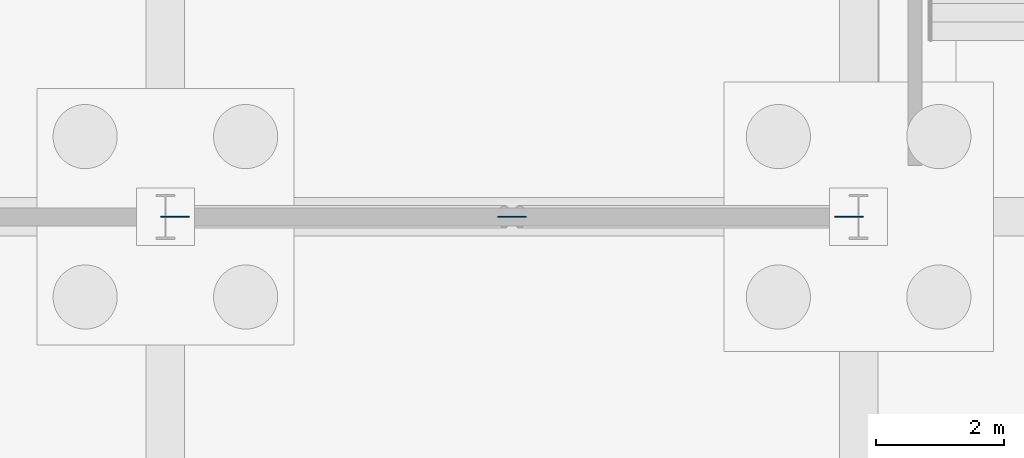
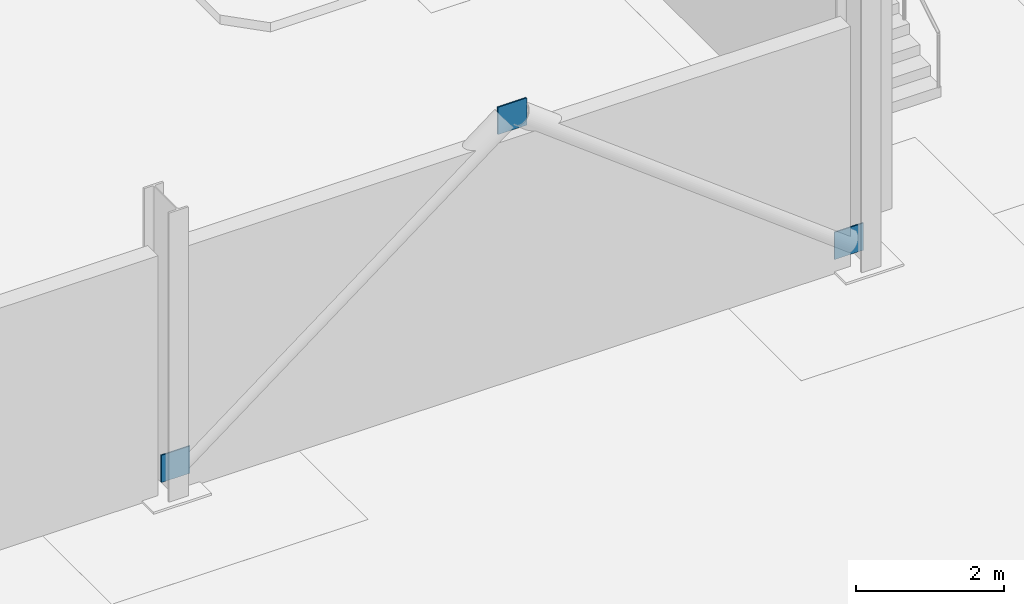
# One storey, part 47 of 73: 3 plates.
"""IFC4 building model written with IfcOpenShell, lengths in metres."""

from ifc_helpers import new_model, si_unit, direction, frame, origin, origin_2d, place, context, subcontext, project, spatial, rectangle, extrude, material, layer, layer_set, type_object, element, save


model = new_model("IFC4")

# Units and contexts
model_context = context("Model", 3, precision=1e-05, world=origin(), true_north=direction((0.0, 1.0)))
body_context = subcontext(model_context, "Body", "Model", "MODEL_VIEW")
ifc_project = project(units=[si_unit("LENGTHUNIT", "METRE"), si_unit("AREAUNIT", "SQUARE_METRE"), si_unit("VOLUMEUNIT", "CUBIC_METRE"), si_unit("PLANEANGLEUNIT", "RADIAN"), si_unit("MASSUNIT", "GRAM", prefix="KILO")], contexts=[model_context])

# Site, building, storey
site_placement = place(None, origin())
site = spatial("IfcSite", under=ifc_project, at=site_placement, CompositionType="ELEMENT")
building_placement = place(site_placement, origin())
building = spatial("IfcBuilding", under=site, at=building_placement, Name="Tasgan Crest Museum", CompositionType="ELEMENT")
storey_placement = place(building_placement, origin())
storey = spatial("IfcBuildingStorey", under=building, at=storey_placement, Name="L00", CompositionType="ELEMENT", Elevation=0.0)

# Plates
ifc_material = material(Name="Steel S355K2", Category="steel")
ifc_layer = layer(ifc_material, 0.02001953125, Name="PL-GUSSET-450")
ifc_layer_set = layer_set([ifc_layer], Name="Steel S355K2")
plate_type = type_object("IfcPlateType", Name="PL-GUSSET-450", PredefinedType="USERDEFINED", material=ifc_layer_set)
for number, where, z_axis, x_axis, name in (
    (1, (27.0, 40.0, 4.02490234375), (0.0, 0.0, 1.0), (1.0, 0.0, 0.0), "Chevron gusset plate L00 E 27.0"),
    (2, (21.75, 40.0, 0.125), (0.0, 0.0, 1.0), (1.0, 0.0, 0.0), "Gusset plate Chevron brace L L00 E 21.6 end A"),
    (3, (32.25, 40.0, 0.125), (0.0, 0.0, 1.0), (1.0, 0.0, 0.0), "Gusset plate Chevron brace R L00 E 32.4 end A"),
):
    element("IfcPlate", number, at=place(storey_placement, frame(where, z_axis=z_axis, x_axis=x_axis)), inside=storey, type_object=plate_type, Name=name, ObjectType="GUSSET PLATE", PredefinedType="USERDEFINED", context=body_context, shape_type="SweptSolid", body=[
        extrude(rectangle(XDim=0.449951171875, YDim=0.02001953125, at=origin_2d()), origin(), (0.0, 0.0, 1.0), 0.449951171875),
    ])

save(model, "model.ifc")
